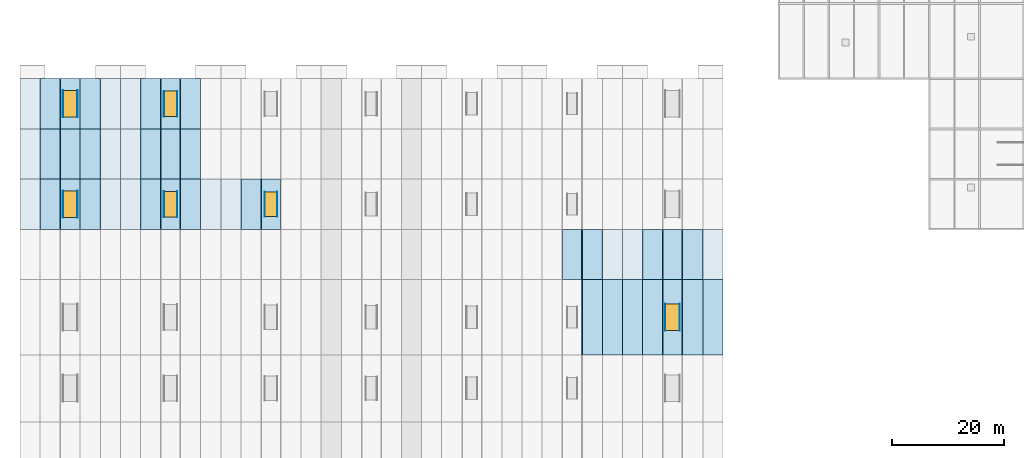
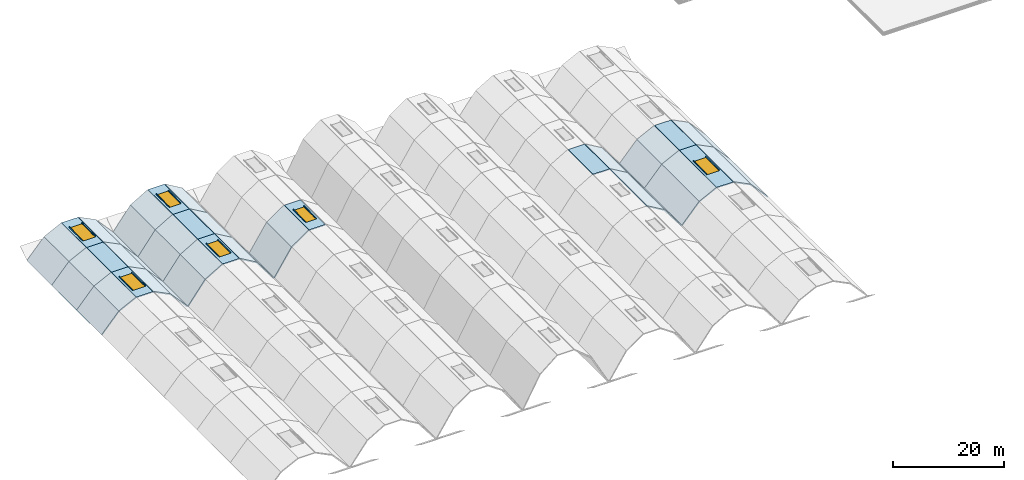
# One storey, part 5 of 11: 46 slabs, 12 plates, 6 windows, 6 openings.
"""IFC4 building model written with IfcOpenShell, lengths in metres."""

from ifc_helpers import new_model, si_unit, direction, frame, origin, origin_2d, place, context, subcontext, project, spatial, polyline, rectangle, outline, extrude, material, layer, layer_set, type_object, element, fill, save


model = new_model("IFC4")

# Units and contexts
model_context = context("Model", 3, precision=1e-05, world=origin(), true_north=direction((0.0, 1.0)))
body_context = subcontext(model_context, "Body", "Model", "MODEL_VIEW")
ifc_project = project(units=[si_unit("LENGTHUNIT", "METRE"), si_unit("AREAUNIT", "SQUARE_METRE"), si_unit("VOLUMEUNIT", "CUBIC_METRE"), si_unit("PLANEANGLEUNIT", "RADIAN"), si_unit("MASSUNIT", "GRAM", prefix="KILO")], contexts=[model_context])

# Site, building, storey
site_placement = place(None, origin())
site = spatial("IfcSite", under=ifc_project, at=site_placement, CompositionType="ELEMENT")
building_placement = place(site_placement, origin())
building = spatial("IfcBuilding", under=site, at=building_placement, Name="Chuanluo Vaults Station", CompositionType="ELEMENT")
storey_placement = place(building_placement, frame((0.0, 0.0, 24.0)))
storey = spatial("IfcBuildingStorey", under=building, at=storey_placement, Name="RF", CompositionType="ELEMENT", Elevation=24.0)

# Plates
ifc_material_1 = material(Name="Laminated safety skylight glass", Category="glass")
ifc_layer_1 = layer(ifc_material_1, 0.033935546875)
ifc_layer_set_1 = layer_set([ifc_layer_1], Name="Laminated safety skylight glass")
plate_type_1 = type_object("IfcPlateType", Name="PLT-SKY-01", PredefinedType="SHEET", material=ifc_layer_set_1)
for number, where, z_axis, x_axis, name in (
    (1, (7.699951171875, 81.0, -4.0498046875), (0.0, 0.0, 1.0), (1.0, 0.0, 0.0), "Vault V1 skylight kerb plate 04W"),
    (2, (7.699951171875, 99.0, -4.0498046875), (0.0, 0.0, 1.0), (1.0, 0.0, 0.0), "Vault V1 skylight kerb plate 05W"),
):
    element("IfcPlate", number, at=place(storey_placement, frame(where, z_axis=z_axis, x_axis=x_axis)), inside=storey, type_object=plate_type_1, Name=name, PredefinedType="SHEET", context=body_context, shape_type="SweptSolid", body=[
        extrude(rectangle(XDim=0.033935546875, YDim=4.800048828125, at=origin_2d()), origin(), (0.0, 0.0, 1.0), 0.219970703125),
    ])
for number, where, z_axis, x_axis, name in (
    (3, (25.800048828125, 81.0, -3.0498046875), (0.0, 0.0, 1.0), (1.0, 0.0, 0.0), "Vault V2 skylight kerb plate 09W"),
    (4, (25.800048828125, 99.0, -3.0498046875), (0.0, 0.0, 1.0), (1.0, 0.0, 0.0), "Vault V2 skylight kerb plate 10W"),
):
    element("IfcPlate", number, at=place(storey_placement, frame(where, z_axis=z_axis, x_axis=x_axis)), inside=storey, type_object=plate_type_1, Name=name, PredefinedType="SHEET", context=body_context, shape_type="SweptSolid", body=[
        extrude(rectangle(XDim=0.033935546875, YDim=4.60009765625, at=origin_2d()), origin(), (0.0, 0.0, 1.0), 0.219970703125),
    ])
plate_1_placement = place(storey_placement, frame((43.89990234375, 81.0, -1.85009765625), z_axis=(0.0, 0.0, 1.0), x_axis=(1.0, 0.0, 0.0)))
element("IfcPlate", 5, at=plate_1_placement, inside=storey, type_object=plate_type_1, Name="Vault V3 skylight kerb plate 14W", PredefinedType="SHEET", context=body_context, shape_type="SweptSolid", body=[
    extrude(rectangle(XDim=0.033935546875, YDim=4.39990234375, at=origin_2d()), origin(), (0.0, 0.0, 1.0), 0.219970703125),
])
plate_2_placement = place(storey_placement, frame((115.699951171875, 60.75, -4.0498046875), z_axis=(0.0, 0.0, 1.0), x_axis=(1.0, 0.0, 0.0)))
element("IfcPlate", 6, at=plate_2_placement, inside=storey, type_object=plate_type_1, Name="Vault V7 skylight kerb plate 33W", PredefinedType="SHEET", context=body_context, shape_type="SweptSolid", body=[
    extrude(rectangle(XDim=0.033935546875, YDim=4.800048828125, at=origin_2d()), origin(), (0.0, 0.0, 1.0), 0.219970703125),
])
ifc_material_2 = material(Name="Laminated safety skylight glass", Category="glass")
ifc_layer_2 = layer(ifc_material_2, 0.030029296875)
ifc_layer_set_2 = layer_set([ifc_layer_2], Name="Laminated safety skylight glass")
plate_type_2 = type_object("IfcPlateType", Name="PLT-SKY-02", PredefinedType="SHEET", material=ifc_layer_set_2)
for number, where, z_axis, x_axis, name in (
    (7, (10.300048828125, 81.0, -4.0498046875), (0.0, 0.0, 1.0), (1.0, 0.0, 0.0), "Vault V1 skylight kerb plate 04E"),
    (8, (10.300048828125, 99.0, -4.0498046875), (0.0, 0.0, 1.0), (1.0, 0.0, 0.0), "Vault V1 skylight kerb plate 05E"),
):
    element("IfcPlate", number, at=place(storey_placement, frame(where, z_axis=z_axis, x_axis=x_axis)), inside=storey, type_object=plate_type_2, Name=name, PredefinedType="SHEET", context=body_context, shape_type="SweptSolid", body=[
        extrude(rectangle(XDim=0.030029296875, YDim=4.800048828125, at=origin_2d()), origin(), (0.0, 0.0, 1.0), 0.219970703125),
    ])
for number, where, z_axis, x_axis, name in (
    (9, (28.199951171875, 81.0, -3.0498046875), (0.0, 0.0, 1.0), (1.0, 0.0, 0.0), "Vault V2 skylight kerb plate 09E"),
    (10, (28.199951171875, 99.0, -3.0498046875), (0.0, 0.0, 1.0), (1.0, 0.0, 0.0), "Vault V2 skylight kerb plate 10E"),
):
    element("IfcPlate", number, at=place(storey_placement, frame(where, z_axis=z_axis, x_axis=x_axis)), inside=storey, type_object=plate_type_2, Name=name, PredefinedType="SHEET", context=body_context, shape_type="SweptSolid", body=[
        extrude(rectangle(XDim=0.030029296875, YDim=4.60009765625, at=origin_2d()), origin(), (0.0, 0.0, 1.0), 0.219970703125),
    ])
plate_3_placement = place(storey_placement, frame((46.10009765625, 81.0, -1.85009765625), z_axis=(0.0, 0.0, 1.0), x_axis=(1.0, 0.0, 0.0)))
element("IfcPlate", 11, at=plate_3_placement, inside=storey, type_object=plate_type_2, Name="Vault V3 skylight kerb plate 14E", PredefinedType="SHEET", context=body_context, shape_type="SweptSolid", body=[
    extrude(rectangle(XDim=0.030029296875, YDim=4.39990234375, at=origin_2d()), origin(), (0.0, 0.0, 1.0), 0.219970703125),
])
plate_4_placement = place(storey_placement, frame((118.300048828125, 60.75, -4.0498046875), z_axis=(0.0, 0.0, 1.0), x_axis=(1.0, 0.0, 0.0)))
element("IfcPlate", 12, at=plate_4_placement, inside=storey, type_object=plate_type_2, Name="Vault V7 skylight kerb plate 33E", PredefinedType="SHEET", context=body_context, shape_type="SweptSolid", body=[
    extrude(rectangle(XDim=0.030029296875, YDim=4.800048828125, at=origin_2d()), origin(), (0.0, 0.0, 1.0), 0.219970703125),
])

# Slabs
ifc_material_3 = material(Name="Concrete C50", Category="concrete")
ifc_layer_3 = layer(ifc_material_3, 0.219970703125)
ifc_layer_set_3 = layer_set([ifc_layer_3], Name="Concrete C50")
slab_type = type_object("IfcSlabType", Name="SLB-VLT-220", PredefinedType="ROOF", material=ifc_layer_set_3)
slab_1_placement = place(storey_placement, frame((0.0, 76.5, -9.85009765625), z_axis=(-0.74346776464, 0.0, 0.668771771938), x_axis=(0.668771771938, 0.0, 0.74346776464)))
element("IfcSlab", 13, at=slab_1_placement, inside=storey, type_object=slab_type, Name="Vault V1 planar roof facet 6-L1", PredefinedType="ROOF", context=body_context, shape_type="SweptSolid", body=[
    extrude(outline(polyline([(0.0, 0.0), (5.383148343442986, 0.0), (5.383148343442986, 9.0), (0.0, 9.0), (0.0, 0.0)])), origin(), (0.0, 0.0, -1.0), 0.219970703125),
])
for number, where, z_axis, x_axis, name in (
    (14, (3.60009765625, 76.5, -5.847900390625), (-0.446800966909, 0.0, 0.894633386348), (0.894633386348, 0.0, 0.446800966909), "Vault V1 planar roof facet 6-L2"),
    (15, (10.800048828125, 76.5, -4.050048828125), (0.446800966909, 0.0, 0.894633386348), (0.894633386348, 0.0, -0.446800966909), "Vault V1 planar roof facet 6-R2"),
):
    element("IfcSlab", number, at=place(storey_placement, frame(where, z_axis=z_axis, x_axis=x_axis)), inside=storey, type_object=slab_type, Name=name, PredefinedType="ROOF", context=body_context, shape_type="SweptSolid", body=[
        extrude(outline(polyline([(0.0, 0.0), (4.023830957525598, 0.0), (4.023830957525598, 9.000000000000002), (0.0, 9.000000000000002), (0.0, 0.0)])), origin(), (0.0, 0.0, -1.0), 0.219970703125),
    ])
slab_2_placement = place(storey_placement, frame((14.39990234375, 76.5, -5.847900390625), z_axis=(0.74346776464, 0.0, 0.668771771938), x_axis=(0.668771771938, 0.0, -0.74346776464)))
element("IfcSlab", 16, at=slab_2_placement, inside=storey, type_object=slab_type, Name="Vault V1 planar roof facet 6-R1", PredefinedType="ROOF", context=body_context, shape_type="SweptSolid", body=[
    extrude(outline(polyline([(0.0, 0.0), (5.383148343442986, 0.0), (5.383148343442986, 9.0), (0.0, 9.0), (0.0, 0.0)])), origin(), (0.0, 0.0, -1.0), 0.219970703125),
])

# Slab, opening, window
slab_3_placement = place(storey_placement, frame((0.0, 0.0, -4.27001953125)))
slab_3 = element("IfcSlab", 17, at=slab_3_placement, inside=storey, type_object=slab_type, Name="Vault V1 crown skylight slab 6", PredefinedType="ROOF", context=body_context, shape_type="SweptSolid", body=[
    extrude(outline(polyline([(7.283203125, 76.5), (10.716796875, 76.5), (10.716796875, 85.5), (7.283203125, 85.5), (7.283203125, 76.5)])), origin(), (0.0, 0.0, 1.0), 0.219970703125),
])
opening_1_placement = place(slab_3_placement, frame((9.0, 81.0, 0.0)))
opening_1 = element("IfcOpeningElement", 18, at=opening_1_placement, cuts=slab_3, Name="Opening SK-01", PredefinedType="OPENING", context=body_context, shape_type="SweptSolid", body=[
    extrude(rectangle(XDim=2.60009765625, YDim=4.800048828125, at=origin_2d()), frame((0.0, 0.0, -0.01)), (0.0, 0.0, 1.0), 0.23997),
])
ifc_material_4 = material(Name="Laminated safety skylight glass", Category="glass")
window_type_1 = type_object("IfcWindowType", Name="SKY-VLT-2600x4800", PartitioningType="SINGLE_PANEL", PredefinedType="SKYLIGHT", material=ifc_material_4)
window_1_placement = place(opening_1_placement, frame((0.0, 0.0, 0.169921875)))
window_1 = element("IfcWindow", 19, at=window_1_placement, inside=storey, type_object=window_type_1, Name="Vault V1 ridge skylight 04", OverallHeight=4.800048828125, OverallWidth=2.60009765625, PartitioningType="SINGLE_PANEL", PredefinedType="SKYLIGHT", context=body_context, shape_type="SweptSolid", body=[
    extrude(rectangle(XDim=2.60009765625, YDim=4.800048828125, at=origin_2d()), origin(), (0.0, 0.0, 1.0), 0.050048828125),
])
fill(opening_1, window_1)

# Slabs
slab_4_placement = place(storey_placement, frame((0.0, 85.5, -9.85009765625), z_axis=(-0.74346776464, 0.0, 0.668771771938), x_axis=(0.668771771938, 0.0, 0.74346776464)))
element("IfcSlab", 20, at=slab_4_placement, inside=storey, type_object=slab_type, Name="Vault V1 planar roof facet 7-L1", PredefinedType="ROOF", context=body_context, shape_type="SweptSolid", body=[
    extrude(outline(polyline([(0.0, 0.0), (5.383148343442986, 0.0), (5.383148343442986, 9.0), (0.0, 9.0), (0.0, 0.0)])), origin(), (0.0, 0.0, -1.0), 0.219970703125),
])
for number, where, z_axis, x_axis, name in (
    (21, (3.60009765625, 85.5, -5.847900390625), (-0.446800966909, 0.0, 0.894633386348), (0.894633386348, 0.0, 0.446800966909), "Vault V1 planar roof facet 7-L2"),
    (22, (10.800048828125, 85.5, -4.050048828125), (0.446800966909, 0.0, 0.894633386348), (0.894633386348, 0.0, -0.446800966909), "Vault V1 planar roof facet 7-R2"),
):
    element("IfcSlab", number, at=place(storey_placement, frame(where, z_axis=z_axis, x_axis=x_axis)), inside=storey, type_object=slab_type, Name=name, PredefinedType="ROOF", context=body_context, shape_type="SweptSolid", body=[
        extrude(outline(polyline([(0.0, 0.0), (4.023830957525598, 0.0), (4.023830957525598, 9.000000000000002), (0.0, 9.000000000000002), (0.0, 0.0)])), origin(), (0.0, 0.0, -1.0), 0.219970703125),
    ])
slab_5_placement = place(storey_placement, frame((14.39990234375, 85.5, -5.847900390625), z_axis=(0.74346776464, 0.0, 0.668771771938), x_axis=(0.668771771938, 0.0, -0.74346776464)))
element("IfcSlab", 23, at=slab_5_placement, inside=storey, type_object=slab_type, Name="Vault V1 planar roof facet 7-R1", PredefinedType="ROOF", context=body_context, shape_type="SweptSolid", body=[
    extrude(outline(polyline([(0.0, 0.0), (5.383148343442986, 0.0), (5.383148343442986, 9.0), (0.0, 9.0), (0.0, 0.0)])), origin(), (0.0, 0.0, -1.0), 0.219970703125),
])
slab_6_placement = place(storey_placement, frame((0.0, 0.0, -4.27001953125)))
element("IfcSlab", 24, at=slab_6_placement, inside=storey, type_object=slab_type, Name="Vault V1 crown skylight slab 7", PredefinedType="ROOF", context=body_context, shape_type="SweptSolid", body=[
    extrude(outline(polyline([(7.283203125, 85.5), (10.716796875, 85.5), (10.716796875, 94.5), (7.283203125, 94.5), (7.283203125, 85.5)])), origin(), (0.0, 0.0, 1.0), 0.219970703125),
])
slab_7_placement = place(storey_placement, frame((0.0, 94.5, -9.85009765625), z_axis=(-0.74346776464, 0.0, 0.668771771938), x_axis=(0.668771771938, 0.0, 0.74346776464)))
element("IfcSlab", 25, at=slab_7_placement, inside=storey, type_object=slab_type, Name="Vault V1 planar roof facet 8-L1", PredefinedType="ROOF", context=body_context, shape_type="SweptSolid", body=[
    extrude(outline(polyline([(0.0, 0.0), (5.383148343442986, 0.0), (5.383148343442986, 9.0), (0.0, 9.0), (0.0, 0.0)])), origin(), (0.0, 0.0, -1.0), 0.219970703125),
])
for number, where, z_axis, x_axis, name in (
    (26, (3.60009765625, 94.5, -5.847900390625), (-0.446800966909, 0.0, 0.894633386348), (0.894633386348, 0.0, 0.446800966909), "Vault V1 planar roof facet 8-L2"),
    (27, (10.800048828125, 94.5, -4.050048828125), (0.446800966909, 0.0, 0.894633386348), (0.894633386348, 0.0, -0.446800966909), "Vault V1 planar roof facet 8-R2"),
):
    element("IfcSlab", number, at=place(storey_placement, frame(where, z_axis=z_axis, x_axis=x_axis)), inside=storey, type_object=slab_type, Name=name, PredefinedType="ROOF", context=body_context, shape_type="SweptSolid", body=[
        extrude(outline(polyline([(0.0, 0.0), (4.023830957525598, 0.0), (4.023830957525598, 9.000000000000002), (0.0, 9.000000000000002), (0.0, 0.0)])), origin(), (0.0, 0.0, -1.0), 0.219970703125),
    ])
slab_8_placement = place(storey_placement, frame((14.39990234375, 94.5, -5.847900390625), z_axis=(0.74346776464, 0.0, 0.668771771938), x_axis=(0.668771771938, 0.0, -0.74346776464)))
element("IfcSlab", 28, at=slab_8_placement, inside=storey, type_object=slab_type, Name="Vault V1 planar roof facet 8-R1", PredefinedType="ROOF", context=body_context, shape_type="SweptSolid", body=[
    extrude(outline(polyline([(0.0, 0.0), (5.383148343442986, 0.0), (5.383148343442986, 9.0), (0.0, 9.0), (0.0, 0.0)])), origin(), (0.0, 0.0, -1.0), 0.219970703125),
])

# Slab, opening, window
slab_9_placement = place(storey_placement, frame((0.0, 0.0, -4.27001953125)))
slab_9 = element("IfcSlab", 29, at=slab_9_placement, inside=storey, type_object=slab_type, Name="Vault V1 crown skylight slab 8", PredefinedType="ROOF", context=body_context, shape_type="SweptSolid", body=[
    extrude(outline(polyline([(7.283203125, 94.5), (10.716796875, 94.5), (10.716796875, 103.5), (7.283203125, 103.5), (7.283203125, 94.5)])), origin(), (0.0, 0.0, 1.0), 0.219970703125),
])
opening_2_placement = place(slab_9_placement, frame((9.0, 99.0, 0.0)))
opening_2 = element("IfcOpeningElement", 30, at=opening_2_placement, cuts=slab_9, Name="Opening SK-01", PredefinedType="OPENING", context=body_context, shape_type="SweptSolid", body=[
    extrude(rectangle(XDim=2.60009765625, YDim=4.800048828125, at=origin_2d()), frame((0.0, 0.0, -0.01)), (0.0, 0.0, 1.0), 0.23997),
])
window_2_placement = place(opening_2_placement, frame((0.0, 0.0, 0.169921875)))
window_2 = element("IfcWindow", 31, at=window_2_placement, inside=storey, type_object=window_type_1, Name="Vault V1 ridge skylight 05", OverallHeight=4.800048828125, OverallWidth=2.60009765625, PartitioningType="SINGLE_PANEL", PredefinedType="SKYLIGHT", context=body_context, shape_type="SweptSolid", body=[
    extrude(rectangle(XDim=2.60009765625, YDim=4.800048828125, at=origin_2d()), origin(), (0.0, 0.0, 1.0), 0.050048828125),
])
fill(opening_2, window_2)

# Slabs
slab_10_placement = place(storey_placement, frame((18.0, 76.5, -9.85009765625), z_axis=(-0.793378408249, 0.0, 0.608728758418), x_axis=(0.608728758418, 0.0, 0.793378408249)))
element("IfcSlab", 32, at=slab_10_placement, inside=storey, type_object=slab_type, Name="Vault V2 planar roof facet 6-L1", PredefinedType="ROOF", context=body_context, shape_type="SweptSolid", body=[
    extrude(outline(polyline([(0.0, 0.0), (5.914124487245905, 0.0), (5.914124487245905, 9.0), (0.0, 9.0), (0.0, 0.0)])), origin(), (0.0, 0.0, -1.0), 0.219970703125),
])
for number, where, z_axis, x_axis, name in (
    (33, (21.60009765625, 76.5, -5.157958984375), (-0.505300394389, 0.0, 0.862943515782), (0.862943515782, 0.0, 0.505300394389), "Vault V2 planar roof facet 6-L2"),
    (34, (28.800048828125, 76.5, -3.050048828125), (0.505300394389, 0.0, 0.862943515782), (0.862943515782, 0.0, -0.505300394389), "Vault V2 planar roof facet 6-R2"),
):
    element("IfcSlab", number, at=place(storey_placement, frame(where, z_axis=z_axis, x_axis=x_axis)), inside=storey, type_object=slab_type, Name=name, PredefinedType="ROOF", context=body_context, shape_type="SweptSolid", body=[
        extrude(outline(polyline([(0.0, 0.0), (4.171598082363588, 0.0), (4.171598082363588, 8.999999999999998), (0.0, 8.999999999999998), (0.0, 0.0)])), origin(), (0.0, 0.0, -1.0), 0.219970703125),
    ])
slab_11_placement = place(storey_placement, frame((32.39990234375, 76.5, -5.157958984375), z_axis=(0.793378408249, 0.0, 0.608728758418), x_axis=(0.608728758418, 0.0, -0.793378408249)))
element("IfcSlab", 35, at=slab_11_placement, inside=storey, type_object=slab_type, Name="Vault V2 planar roof facet 6-R1", PredefinedType="ROOF", context=body_context, shape_type="SweptSolid", body=[
    extrude(outline(polyline([(0.0, 0.0), (5.914124487245905, 0.0), (5.914124487245905, 9.0), (0.0, 9.0), (0.0, 0.0)])), origin(), (0.0, 0.0, -1.0), 0.219970703125),
])

# Slab, opening, window
slab_12_placement = place(storey_placement, frame((0.0, 0.0, -3.27001953125)))
slab_12 = element("IfcSlab", 36, at=slab_12_placement, inside=storey, type_object=slab_type, Name="Vault V2 crown skylight slab 6", PredefinedType="ROOF", context=body_context, shape_type="SweptSolid", body=[
    extrude(outline(polyline([(25.296142578125, 76.5), (28.703857421875, 76.5), (28.703857421875, 85.5), (25.296142578125, 85.5), (25.296142578125, 76.5)])), origin(), (0.0, 0.0, 1.0), 0.219970703125),
])
opening_3_placement = place(slab_12_placement, frame((27.0, 81.0, 0.0)))
opening_3 = element("IfcOpeningElement", 37, at=opening_3_placement, cuts=slab_12, Name="Opening SK-02", PredefinedType="OPENING", context=body_context, shape_type="SweptSolid", body=[
    extrude(rectangle(XDim=2.39990234375, YDim=4.60009765625, at=origin_2d()), frame((0.0, 0.0, -0.01)), (0.0, 0.0, 1.0), 0.23997),
])
ifc_material_5 = material(Name="Laminated safety skylight glass", Category="glass")
window_type_2 = type_object("IfcWindowType", Name="SKY-VLT-2400x4600", PartitioningType="SINGLE_PANEL", PredefinedType="SKYLIGHT", material=ifc_material_5)
window_3_placement = place(opening_3_placement, frame((0.0, 0.0, 0.169921875)))
window_3 = element("IfcWindow", 38, at=window_3_placement, inside=storey, type_object=window_type_2, Name="Vault V2 ridge skylight 09", OverallHeight=4.60009765625, OverallWidth=2.39990234375, PartitioningType="SINGLE_PANEL", PredefinedType="SKYLIGHT", context=body_context, shape_type="SweptSolid", body=[
    extrude(rectangle(XDim=2.39990234375, YDim=4.60009765625, at=origin_2d()), origin(), (0.0, 0.0, 1.0), 0.050048828125),
])
fill(opening_3, window_3)

# Slabs
slab_13_placement = place(storey_placement, frame((18.0, 85.5, -9.85009765625), z_axis=(-0.793378408249, 0.0, 0.608728758418), x_axis=(0.608728758418, 0.0, 0.793378408249)))
element("IfcSlab", 39, at=slab_13_placement, inside=storey, type_object=slab_type, Name="Vault V2 planar roof facet 7-L1", PredefinedType="ROOF", context=body_context, shape_type="SweptSolid", body=[
    extrude(outline(polyline([(0.0, 0.0), (5.914124487245905, 0.0), (5.914124487245905, 9.0), (0.0, 9.0), (0.0, 0.0)])), origin(), (0.0, 0.0, -1.0), 0.219970703125),
])
for number, where, z_axis, x_axis, name in (
    (40, (21.60009765625, 85.5, -5.157958984375), (-0.505300394389, 0.0, 0.862943515782), (0.862943515782, 0.0, 0.505300394389), "Vault V2 planar roof facet 7-L2"),
    (41, (28.800048828125, 85.5, -3.050048828125), (0.505300394389, 0.0, 0.862943515782), (0.862943515782, 0.0, -0.505300394389), "Vault V2 planar roof facet 7-R2"),
):
    element("IfcSlab", number, at=place(storey_placement, frame(where, z_axis=z_axis, x_axis=x_axis)), inside=storey, type_object=slab_type, Name=name, PredefinedType="ROOF", context=body_context, shape_type="SweptSolid", body=[
        extrude(outline(polyline([(0.0, 0.0), (4.171598082363588, 0.0), (4.171598082363588, 8.999999999999998), (0.0, 8.999999999999998), (0.0, 0.0)])), origin(), (0.0, 0.0, -1.0), 0.219970703125),
    ])
slab_14_placement = place(storey_placement, frame((0.0, 0.0, -3.27001953125)))
element("IfcSlab", 42, at=slab_14_placement, inside=storey, type_object=slab_type, Name="Vault V2 crown skylight slab 7", PredefinedType="ROOF", context=body_context, shape_type="SweptSolid", body=[
    extrude(outline(polyline([(25.296142578125, 85.5), (28.703857421875, 85.5), (28.703857421875, 94.5), (25.296142578125, 94.5), (25.296142578125, 85.5)])), origin(), (0.0, 0.0, 1.0), 0.219970703125),
])
slab_15_placement = place(storey_placement, frame((18.0, 94.5, -9.85009765625), z_axis=(-0.793378408249, 0.0, 0.608728758418), x_axis=(0.608728758418, 0.0, 0.793378408249)))
element("IfcSlab", 43, at=slab_15_placement, inside=storey, type_object=slab_type, Name="Vault V2 planar roof facet 8-L1", PredefinedType="ROOF", context=body_context, shape_type="SweptSolid", body=[
    extrude(outline(polyline([(0.0, 0.0), (5.914124487245905, 0.0), (5.914124487245905, 9.0), (0.0, 9.0), (0.0, 0.0)])), origin(), (0.0, 0.0, -1.0), 0.219970703125),
])
for number, where, z_axis, x_axis, name in (
    (44, (21.60009765625, 94.5, -5.157958984375), (-0.505300394389, 0.0, 0.862943515782), (0.862943515782, 0.0, 0.505300394389), "Vault V2 planar roof facet 8-L2"),
    (45, (28.800048828125, 94.5, -3.050048828125), (0.505300394389, 0.0, 0.862943515782), (0.862943515782, 0.0, -0.505300394389), "Vault V2 planar roof facet 8-R2"),
):
    element("IfcSlab", number, at=place(storey_placement, frame(where, z_axis=z_axis, x_axis=x_axis)), inside=storey, type_object=slab_type, Name=name, PredefinedType="ROOF", context=body_context, shape_type="SweptSolid", body=[
        extrude(outline(polyline([(0.0, 0.0), (4.171598082363588, 0.0), (4.171598082363588, 8.999999999999998), (0.0, 8.999999999999998), (0.0, 0.0)])), origin(), (0.0, 0.0, -1.0), 0.219970703125),
    ])

# Slab, opening, window
slab_16_placement = place(storey_placement, frame((0.0, 0.0, -3.27001953125)))
slab_16 = element("IfcSlab", 46, at=slab_16_placement, inside=storey, type_object=slab_type, Name="Vault V2 crown skylight slab 8", PredefinedType="ROOF", context=body_context, shape_type="SweptSolid", body=[
    extrude(outline(polyline([(25.296142578125, 94.5), (28.703857421875, 94.5), (28.703857421875, 103.5), (25.296142578125, 103.5), (25.296142578125, 94.5)])), origin(), (0.0, 0.0, 1.0), 0.219970703125),
])
opening_4_placement = place(slab_16_placement, frame((27.0, 99.0, 0.0)))
opening_4 = element("IfcOpeningElement", 47, at=opening_4_placement, cuts=slab_16, Name="Opening SK-02", PredefinedType="OPENING", context=body_context, shape_type="SweptSolid", body=[
    extrude(rectangle(XDim=2.39990234375, YDim=4.60009765625, at=origin_2d()), frame((0.0, 0.0, -0.01)), (0.0, 0.0, 1.0), 0.23997),
])
window_4_placement = place(opening_4_placement, frame((0.0, 0.0, 0.169921875)))
window_4 = element("IfcWindow", 48, at=window_4_placement, inside=storey, type_object=window_type_2, Name="Vault V2 ridge skylight 10", OverallHeight=4.60009765625, OverallWidth=2.39990234375, PartitioningType="SINGLE_PANEL", PredefinedType="SKYLIGHT", context=body_context, shape_type="SweptSolid", body=[
    extrude(rectangle(XDim=2.39990234375, YDim=4.60009765625, at=origin_2d()), origin(), (0.0, 0.0, 1.0), 0.050048828125),
])
fill(opening_4, window_4)

# Slabs
slab_17_placement = place(storey_placement, frame((36.0, 76.5, -9.85009765625), z_axis=(-0.837604700912, 0.0, 0.54627682086), x_axis=(0.54627682086, 0.0, 0.837604700912)))
element("IfcSlab", 49, at=slab_17_placement, inside=storey, type_object=slab_type, Name="Vault V3 planar roof facet 6-L1", PredefinedType="ROOF", context=body_context, shape_type="SweptSolid", body=[
    extrude(outline(polyline([(0.0, 0.0), (6.590244210946831, 0.0), (6.590244210946831, 9.0), (0.0, 9.0), (0.0, 0.0)])), origin(), (0.0, 0.0, -1.0), 0.219970703125),
])
slab_18_placement = place(storey_placement, frame((39.60009765625, 76.5, -4.330078125), z_axis=(-0.567317861209, 0.0, 0.823498903675), x_axis=(0.823498903675, 0.0, 0.567317861209)))
element("IfcSlab", 50, at=slab_18_placement, inside=storey, type_object=slab_type, Name="Vault V3 planar roof facet 6-L2", PredefinedType="ROOF", context=body_context, shape_type="SweptSolid", body=[
    extrude(outline(polyline([(0.0, 0.0), (4.371412638877636, 0.0), (4.371412638877636, 9.0), (0.0, 9.0), (0.0, 0.0)])), origin(), (0.0, 0.0, -1.0), 0.219970703125),
])

# Slab, opening, window
slab_19_placement = place(storey_placement, frame((0.0, 0.0, -2.070068359375)))
slab_19 = element("IfcSlab", 51, at=slab_19_placement, inside=storey, type_object=slab_type, Name="Vault V3 crown skylight slab 6", PredefinedType="ROOF", context=body_context, shape_type="SweptSolid", body=[
    extrude(outline(polyline([(43.309814453125, 76.5), (46.690185546875, 76.5), (46.690185546875, 85.5), (43.309814453125, 85.5), (43.309814453125, 76.5)])), origin(), (0.0, 0.0, 1.0), 0.219970703125),
])
opening_5_placement = place(slab_19_placement, frame((45.0, 81.0, 0.0)))
opening_5 = element("IfcOpeningElement", 52, at=opening_5_placement, cuts=slab_19, Name="Opening SK-03", PredefinedType="OPENING", context=body_context, shape_type="SweptSolid", body=[
    extrude(rectangle(XDim=2.199951171875, YDim=4.39990234375, at=origin_2d()), frame((0.0, 0.0, -0.01)), (0.0, 0.0, 1.0), 0.23997),
])
ifc_material_6 = material(Name="Laminated safety skylight glass", Category="glass")
window_type_3 = type_object("IfcWindowType", Name="SKY-VLT-2200x4400", PartitioningType="SINGLE_PANEL", PredefinedType="SKYLIGHT", material=ifc_material_6)
window_5_placement = place(opening_5_placement, frame((0.0, 0.0, 0.169921875)))
window_5 = element("IfcWindow", 53, at=window_5_placement, inside=storey, type_object=window_type_3, Name="Vault V3 ridge skylight 14", OverallHeight=4.39990234375, OverallWidth=2.199951171875, PartitioningType="SINGLE_PANEL", PredefinedType="SKYLIGHT", context=body_context, shape_type="SweptSolid", body=[
    extrude(rectangle(XDim=2.199951171875, YDim=4.39990234375, at=origin_2d()), origin(), (0.0, 0.0, 1.0), 0.050048828125),
])
fill(opening_5, window_5)

# Slabs
slab_20_placement = place(storey_placement, frame((100.800048828125, 54.0, -3.050048828125), z_axis=(0.505300394389, 0.0, 0.862943515782), x_axis=(0.862943515782, 0.0, -0.505300394389)))
element("IfcSlab", 54, at=slab_20_placement, inside=storey, type_object=slab_type, Name="Vault V6 planar roof facet 4-R2", PredefinedType="ROOF", context=body_context, shape_type="SweptSolid", body=[
    extrude(outline(polyline([(0.0, 0.0), (4.171598082363588, 0.0), (4.171598082363588, 13.499999999999998), (0.0, 13.499999999999998), (0.0, 0.0)])), origin(), (0.0, 0.0, -1.0), 0.219970703125),
])
slab_21_placement = place(storey_placement, frame((104.39990234375, 54.0, -5.157958984375), z_axis=(0.793378408249, 0.0, 0.608728758418), x_axis=(0.608728758418, 0.0, -0.793378408249)))
element("IfcSlab", 55, at=slab_21_placement, inside=storey, type_object=slab_type, Name="Vault V6 planar roof facet 4-R1", PredefinedType="ROOF", context=body_context, shape_type="SweptSolid", body=[
    extrude(outline(polyline([(0.0, 0.0), (5.914124487245905, 0.0), (5.914124487245905, 13.5), (0.0, 13.5), (0.0, 0.0)])), origin(), (0.0, 0.0, -1.0), 0.219970703125),
])
slab_22_placement = place(storey_placement, frame((100.800048828125, 67.5, -3.050048828125), z_axis=(0.505300394389, 0.0, 0.862943515782), x_axis=(0.862943515782, 0.0, -0.505300394389)))
element("IfcSlab", 56, at=slab_22_placement, inside=storey, type_object=slab_type, Name="Vault V6 planar roof facet 5-R2", PredefinedType="ROOF", context=body_context, shape_type="SweptSolid", body=[
    extrude(outline(polyline([(0.0, 0.0), (4.171598082363588, 0.0), (4.171598082363588, 8.999999999999998), (0.0, 8.999999999999998), (0.0, 0.0)])), origin(), (0.0, 0.0, -1.0), 0.219970703125),
])
slab_23_placement = place(storey_placement, frame((104.39990234375, 67.5, -5.157958984375), z_axis=(0.793378408249, 0.0, 0.608728758418), x_axis=(0.608728758418, 0.0, -0.793378408249)))
element("IfcSlab", 57, at=slab_23_placement, inside=storey, type_object=slab_type, Name="Vault V6 planar roof facet 5-R1", PredefinedType="ROOF", context=body_context, shape_type="SweptSolid", body=[
    extrude(outline(polyline([(0.0, 0.0), (5.914124487245905, 0.0), (5.914124487245905, 9.0), (0.0, 9.0), (0.0, 0.0)])), origin(), (0.0, 0.0, -1.0), 0.219970703125),
])
slab_24_placement = place(storey_placement, frame((0.0, 0.0, -3.27001953125)))
element("IfcSlab", 58, at=slab_24_placement, inside=storey, type_object=slab_type, Name="Vault V6 crown skylight slab 5", PredefinedType="ROOF", context=body_context, shape_type="SweptSolid", body=[
    extrude(outline(polyline([(97.296142578125, 67.5), (100.703857421875, 67.5), (100.703857421875, 76.5), (97.296142578125, 76.5), (97.296142578125, 67.5)])), origin(), (0.0, 0.0, 1.0), 0.219970703125),
])
slab_25_placement = place(storey_placement, frame((108.0, 54.0, -9.85009765625), z_axis=(-0.74346776464, 0.0, 0.668771771938), x_axis=(0.668771771938, 0.0, 0.74346776464)))
element("IfcSlab", 59, at=slab_25_placement, inside=storey, type_object=slab_type, Name="Vault V7 planar roof facet 4-L1", PredefinedType="ROOF", context=body_context, shape_type="SweptSolid", body=[
    extrude(outline(polyline([(0.0, 0.0), (5.383148343442986, 0.0), (5.383148343442986, 13.5), (0.0, 13.5), (0.0, 0.0)])), origin(), (0.0, 0.0, -1.0), 0.219970703125),
])
for number, where, z_axis, x_axis, name in (
    (60, (111.60009765625, 54.0, -5.847900390625), (-0.446800966909, 0.0, 0.894633386348), (0.894633386348, 0.0, 0.446800966909), "Vault V7 planar roof facet 4-L2"),
    (61, (118.800048828125, 54.0, -4.050048828125), (0.446800966909, 0.0, 0.894633386348), (0.894633386348, 0.0, -0.446800966909), "Vault V7 planar roof facet 4-R2"),
):
    element("IfcSlab", number, at=place(storey_placement, frame(where, z_axis=z_axis, x_axis=x_axis)), inside=storey, type_object=slab_type, Name=name, PredefinedType="ROOF", context=body_context, shape_type="SweptSolid", body=[
        extrude(outline(polyline([(0.0, 0.0), (4.023830957525598, 0.0), (4.023830957525598, 13.5), (0.0, 13.5), (0.0, 0.0)])), origin(), (0.0, 0.0, -1.0), 0.219970703125),
    ])
slab_26_placement = place(storey_placement, frame((122.39990234375, 54.0, -5.847900390625), z_axis=(0.74346776464, 0.0, 0.668771771938), x_axis=(0.668771771938, 0.0, -0.74346776464)))
element("IfcSlab", 62, at=slab_26_placement, inside=storey, type_object=slab_type, Name="Vault V7 planar roof facet 4-R1", PredefinedType="ROOF", context=body_context, shape_type="SweptSolid", body=[
    extrude(outline(polyline([(0.0, 0.0), (5.383148343442986, 0.0), (5.383148343442986, 13.5), (0.0, 13.5), (0.0, 0.0)])), origin(), (0.0, 0.0, -1.0), 0.219970703125),
])

# Slab, opening, window
slab_27_placement = place(storey_placement, frame((0.0, 0.0, -4.27001953125)))
slab_27 = element("IfcSlab", 63, at=slab_27_placement, inside=storey, type_object=slab_type, Name="Vault V7 crown skylight slab 4", PredefinedType="ROOF", context=body_context, shape_type="SweptSolid", body=[
    extrude(outline(polyline([(115.283203125, 54.0), (118.716796875, 54.0), (118.716796875, 67.5), (115.283203125, 67.5), (115.283203125, 54.0)])), origin(), (0.0, 0.0, 1.0), 0.219970703125),
])
opening_6_placement = place(slab_27_placement, frame((117.0, 60.75, 0.0)))
opening_6 = element("IfcOpeningElement", 64, at=opening_6_placement, cuts=slab_27, Name="Opening SK-01", PredefinedType="OPENING", context=body_context, shape_type="SweptSolid", body=[
    extrude(rectangle(XDim=2.60009765625, YDim=4.800048828125, at=origin_2d()), frame((0.0, 0.0, -0.01)), (0.0, 0.0, 1.0), 0.23997),
])
window_6_placement = place(opening_6_placement, frame((0.0, 0.0, 0.169921875)))
window_6 = element("IfcWindow", 65, at=window_6_placement, inside=storey, type_object=window_type_1, Name="Vault V7 ridge skylight 33", OverallHeight=4.800048828125, OverallWidth=2.60009765625, PartitioningType="SINGLE_PANEL", PredefinedType="SKYLIGHT", context=body_context, shape_type="SweptSolid", body=[
    extrude(rectangle(XDim=2.60009765625, YDim=4.800048828125, at=origin_2d()), origin(), (0.0, 0.0, 1.0), 0.050048828125),
])
fill(opening_6, window_6)

# Slabs
slab_28_placement = place(storey_placement, frame((108.0, 67.5, -9.85009765625), z_axis=(-0.74346776464, 0.0, 0.668771771938), x_axis=(0.668771771938, 0.0, 0.74346776464)))
element("IfcSlab", 66, at=slab_28_placement, inside=storey, type_object=slab_type, Name="Vault V7 planar roof facet 5-L1", PredefinedType="ROOF", context=body_context, shape_type="SweptSolid", body=[
    extrude(outline(polyline([(0.0, 0.0), (5.383148343442986, 0.0), (5.383148343442986, 9.0), (0.0, 9.0), (0.0, 0.0)])), origin(), (0.0, 0.0, -1.0), 0.219970703125),
])
for number, where, z_axis, x_axis, name in (
    (67, (111.60009765625, 67.5, -5.847900390625), (-0.446800966909, 0.0, 0.894633386348), (0.894633386348, 0.0, 0.446800966909), "Vault V7 planar roof facet 5-L2"),
    (68, (118.800048828125, 67.5, -4.050048828125), (0.446800966909, 0.0, 0.894633386348), (0.894633386348, 0.0, -0.446800966909), "Vault V7 planar roof facet 5-R2"),
):
    element("IfcSlab", number, at=place(storey_placement, frame(where, z_axis=z_axis, x_axis=x_axis)), inside=storey, type_object=slab_type, Name=name, PredefinedType="ROOF", context=body_context, shape_type="SweptSolid", body=[
        extrude(outline(polyline([(0.0, 0.0), (4.023830957525598, 0.0), (4.023830957525598, 9.000000000000002), (0.0, 9.000000000000002), (0.0, 0.0)])), origin(), (0.0, 0.0, -1.0), 0.219970703125),
    ])
slab_29_placement = place(storey_placement, frame((122.39990234375, 67.5, -5.847900390625), z_axis=(0.74346776464, 0.0, 0.668771771938), x_axis=(0.668771771938, 0.0, -0.74346776464)))
element("IfcSlab", 69, at=slab_29_placement, inside=storey, type_object=slab_type, Name="Vault V7 planar roof facet 5-R1", PredefinedType="ROOF", context=body_context, shape_type="SweptSolid", body=[
    extrude(outline(polyline([(0.0, 0.0), (5.383148343442986, 0.0), (5.383148343442986, 9.0), (0.0, 9.0), (0.0, 0.0)])), origin(), (0.0, 0.0, -1.0), 0.219970703125),
])
slab_30_placement = place(storey_placement, frame((0.0, 0.0, -4.27001953125)))
element("IfcSlab", 70, at=slab_30_placement, inside=storey, type_object=slab_type, Name="Vault V7 crown skylight slab 5", PredefinedType="ROOF", context=body_context, shape_type="SweptSolid", body=[
    extrude(outline(polyline([(115.283203125, 67.5), (118.716796875, 67.5), (118.716796875, 76.5), (115.283203125, 76.5), (115.283203125, 67.5)])), origin(), (0.0, 0.0, 1.0), 0.219970703125),
])

save(model, "model.ifc")
